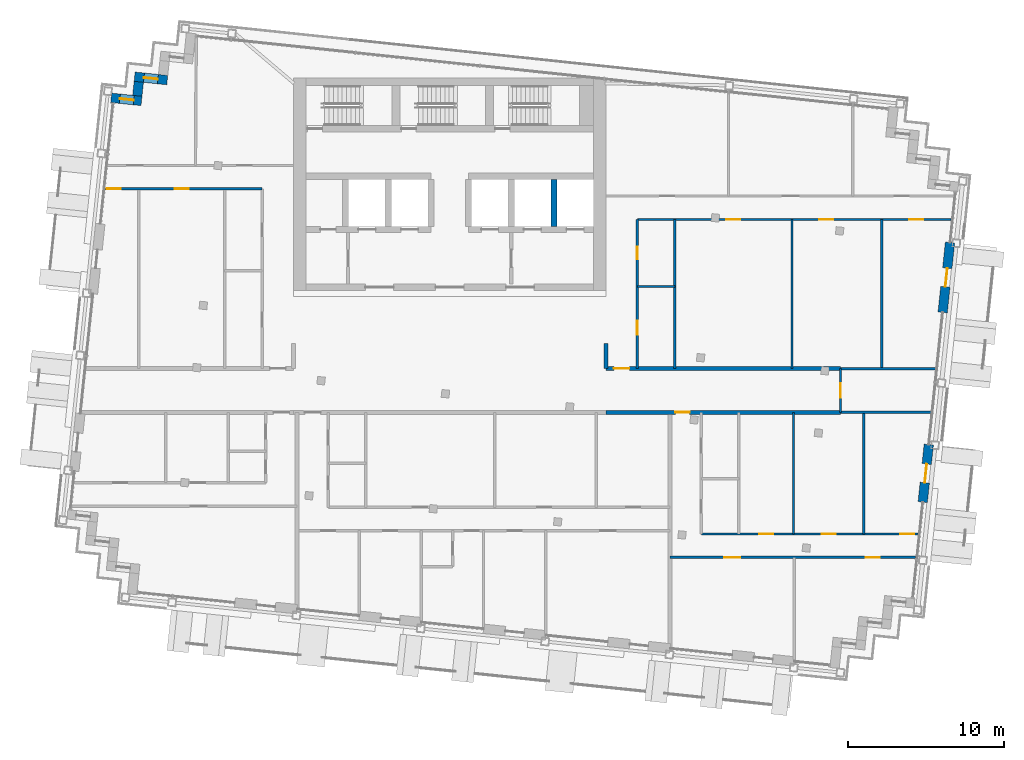
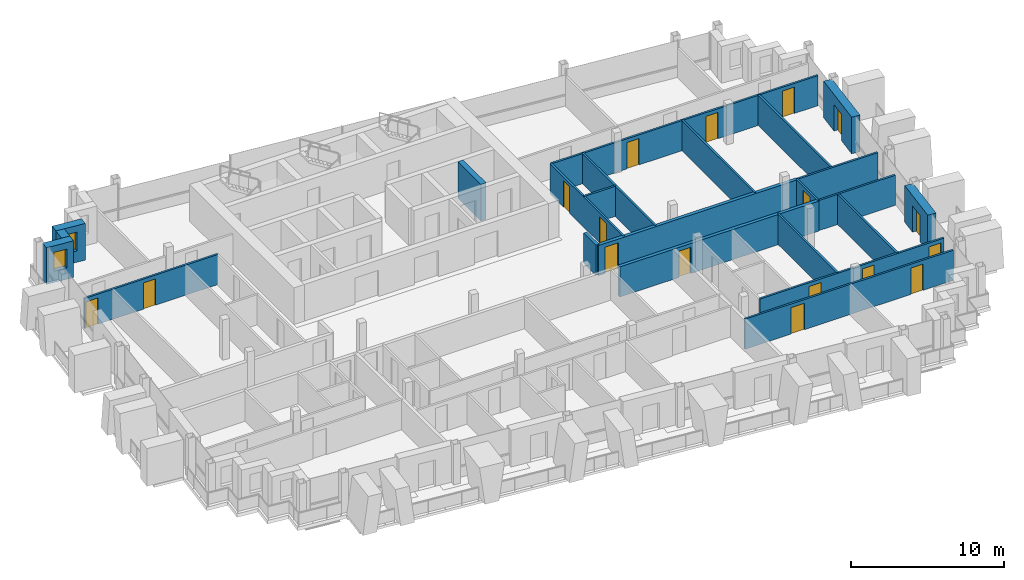
# One storey, part 11 of 16: 23 walls, 17 doors, 2 windows, 19 openings.
"""IFC4 building model written with IfcOpenShell, lengths in metres."""

from ifc_helpers import new_model, si_unit, direction, frame, frame_2d, origin, place, context, subcontext, project, spatial, rectangle, extrude, material, layer, layer_set, type_object, element, fill, save


model = new_model("IFC4")

# Units and contexts
model_context = context("Model", 3, precision=1e-05, world=origin(), true_north=direction((0.0, 1.0)))
body_context = subcontext(model_context, "Body", "Model", "MODEL_VIEW")
ifc_project = project(units=[si_unit("LENGTHUNIT", "METRE"), si_unit("AREAUNIT", "SQUARE_METRE"), si_unit("VOLUMEUNIT", "CUBIC_METRE"), si_unit("PLANEANGLEUNIT", "RADIAN"), si_unit("MASSUNIT", "GRAM", prefix="KILO")], contexts=[model_context])

# Site, building, storey
site_placement = place(None, origin())
site = spatial("IfcSite", under=ifc_project, at=site_placement, CompositionType="ELEMENT")
building_placement = place(site_placement, origin())
building = spatial("IfcBuilding", under=site, at=building_placement, Name="Vidyagriha Tower", CompositionType="ELEMENT")
storey_placement = place(building_placement, frame((0.0, 0.0, 253.10009765625)))
storey = spatial("IfcBuildingStorey", under=building, at=storey_placement, Name="L65", CompositionType="ELEMENT", Elevation=253.10009765625)

# Wall, opening, window
ifc_material_1 = material(Name="Precast concrete C40/50 with brick facing", Category="concrete")
ifc_layer_1 = layer(ifc_material_1, 0.60009765625)
ifc_layer_set_1 = layer_set([ifc_layer_1], Name="Precast concrete C40/50 with brick facing")
wall_type_1 = type_object("IfcWallType", Name="Brick-faced precast wall 600", PredefinedType="STANDARD", material=ifc_layer_set_1)
wall_1_placement = place(storey_placement, frame((-18.077392578125, 19.859130859375, 0.0), z_axis=(0.0, 0.0, 1.0), x_axis=(-0.994522640205, 0.104521376379, 0.0)))
wall_1 = element("IfcWall", 1, at=wall_1_placement, inside=storey, type_object=wall_type_1, Name="Stepped corner wall L65 R11", PredefinedType="STANDARD", context=body_context, shape_type="SweptSolid", body=[
    extrude(rectangle(XDim=2.099853515625, YDim=0.60009765625, at=frame_2d((1.0498046875, 0.0))), origin(), (0.0, 0.0, 1.0), 2.919921875),
])
opening_1_placement = place(wall_1_placement, frame((0.60009765625, 0.0, 0.89990234375)))
opening_1 = element("IfcOpeningElement", 2, at=opening_1_placement, cuts=wall_1, Name="Opening WN1", PredefinedType="OPENING", context=body_context, shape_type="SweptSolid", body=[
    extrude(rectangle(XDim=0.89990234375, YDim=1.5, at=frame_2d((0.449951171875, 0.75))), frame((0.0, 0.31005859375, 0.0), z_axis=(0.0, -1.0, 0.0), x_axis=(1.0, 0.0, 0.0)), (0.0, 0.0, 1.0), 0.6201171875),
])
ifc_material_2 = material(Name="Aluminium and glass window", Category="aluminium")
window_type = type_object("IfcWindowType", Name="Reveal window 900x1500", PartitioningType="NOTDEFINED", PredefinedType="WINDOW", material=ifc_material_2)
window_1_placement = place(opening_1_placement, origin())
window_1 = element("IfcWindow", 3, at=window_1_placement, inside=storey, type_object=window_type, Name="Reveal window L65 R11", OverallHeight=1.5, OverallWidth=0.89990234375, PartitioningType="SINGLE_PANEL", PredefinedType="WINDOW", context=body_context, shape_type="SweptSolid", body=[
    extrude(rectangle(XDim=0.89990234375, YDim=1.5, at=frame_2d((0.449951171875, 0.75))), frame((0.0, 0.030029296875, 0.0), z_axis=(0.0, -1.0, 0.0), x_axis=(1.0, 0.0, 0.0)), (0.0, 0.0, 1.0), 0.06005859375),
])
fill(opening_1, window_1)

# Wall
wall_2_placement = place(storey_placement, frame((-19.898681640625, 19.748779296875, 0.0), z_axis=(0.0, 0.0, 1.0), x_axis=(-0.104741284723, -0.994499503909, 0.0)))
element("IfcWall", 4, at=wall_2_placement, inside=storey, type_object=wall_type_1, Name="Stepped corner wall L65 R12", PredefinedType="STANDARD", context=body_context, shape_type="SweptSolid", body=[
    extrude(rectangle(XDim=0.899658203125, YDim=0.60009765625, at=frame_2d((0.44970703125, 0.0))), origin(), (0.0, 0.0, 1.0), 2.919921875),
])

# Wall, opening, window
wall_3_placement = place(storey_placement, frame((-19.725830078125, 18.5244140625, 0.0), z_axis=(0.0, 0.0, 1.0), x_axis=(-0.994534226826, 0.104411070641, 0.0)))
wall_3 = element("IfcWall", 5, at=wall_3_placement, inside=storey, type_object=wall_type_1, Name="Stepped corner wall L65 R13", PredefinedType="STANDARD", context=body_context, shape_type="SweptSolid", body=[
    extrude(rectangle(XDim=1.9501953125, YDim=0.60009765625, at=frame_2d((0.97509765625, 0.0))), origin(), (0.0, 0.0, 1.0), 2.919921875),
])
opening_2_placement = place(wall_3_placement, frame((0.489990234375, 0.0, 0.89990234375)))
opening_2 = element("IfcOpeningElement", 6, at=opening_2_placement, cuts=wall_3, Name="Opening WN1", PredefinedType="OPENING", context=body_context, shape_type="SweptSolid", body=[
    extrude(rectangle(XDim=0.89990234375, YDim=1.5, at=frame_2d((0.449951171875, 0.75))), frame((0.0, 0.31005859375, 0.0), z_axis=(0.0, -1.0, 0.0), x_axis=(1.0, 0.0, 0.0)), (0.0, 0.0, 1.0), 0.6201171875),
])
window_2_placement = place(opening_2_placement, origin())
window_2 = element("IfcWindow", 7, at=window_2_placement, inside=storey, type_object=window_type, Name="Reveal window L65 R13", OverallHeight=1.5, OverallWidth=0.89990234375, PartitioningType="SINGLE_PANEL", PredefinedType="WINDOW", context=body_context, shape_type="SweptSolid", body=[
    extrude(rectangle(XDim=0.89990234375, YDim=1.5, at=frame_2d((0.449951171875, 0.75))), frame((0.0, 0.030029296875, 0.0), z_axis=(0.0, -1.0, 0.0), x_axis=(1.0, 0.0, 0.0)), (0.0, 0.0, 1.0), 0.06005859375),
])
fill(opening_2, window_2)

# Wall, opening, door
wall_4_placement = place(storey_placement, frame((30.26513671875, -7.14208984375, 0.0), z_axis=(0.0, 0.0, 1.0), x_axis=(0.104513052986, 0.994523514933, 0.0)))
wall_4 = element("IfcWall", 8, at=wall_4_placement, inside=storey, type_object=wall_type_1, Name="Brick door bay wall L65 R28.3", PredefinedType="STANDARD", context=body_context, shape_type="SweptSolid", body=[
    extrude(rectangle(XDim=3.7001953125, YDim=0.60009765625, at=frame_2d((1.85009765625, 0.0))), origin(), (0.0, 0.0, 1.0), 2.919921875),
])
opening_3_placement = place(wall_4_placement, frame((1.25, 0.0, 0.0)))
opening_3 = element("IfcOpeningElement", 9, at=opening_3_placement, cuts=wall_4, Name="Opening D65-60", PredefinedType="OPENING", context=body_context, shape_type="SweptSolid", body=[
    extrude(rectangle(XDim=1.199951171875, YDim=2.10009765625, at=frame_2d((0.60009765625, 1.050048828125))), frame((0.0, 0.31005859375, 0.0), z_axis=(0.0, -1.0, 0.0), x_axis=(1.0, 0.0, 0.0)), (0.0, 0.0, 1.0), 0.6201171875),
])
ifc_material_3 = material(Name="Aluminium framed glazed sliding door", Category="aluminium")
door_type_1 = type_object("IfcDoorType", Name="Balcony sliding door 1200x2100", OperationType="NOTDEFINED", PredefinedType="DOOR", material=ifc_material_3)
door_1_placement = place(opening_3_placement, origin())
door_1 = element("IfcDoor", 10, at=door_1_placement, inside=storey, type_object=door_type_1, Name="Door D65-60", OperationType="SLIDING_TO_LEFT", OverallHeight=2.10009765625, OverallWidth=1.199951171875, PredefinedType="DOOR", context=body_context, shape_type="SweptSolid", body=[
    extrude(rectangle(XDim=1.199951171875, YDim=2.10009765625, at=frame_2d((0.60009765625, 1.050048828125))), frame((0.0, 0.02490234375, 0.0), z_axis=(0.0, -1.0, 0.0), x_axis=(1.0, 0.0, 0.0)), (0.0, 0.0, 1.0), 0.050048828125),
])
fill(opening_3, door_1)

wall_5_placement = place(storey_placement, frame((31.540283203125, 4.9912109375, 0.0), z_axis=(0.0, 0.0, 1.0), x_axis=(0.104546400045, 0.994520009974, 0.0)))
wall_5 = element("IfcWall", 11, at=wall_5_placement, inside=storey, type_object=wall_type_1, Name="Brick door bay wall L65 R28.6", PredefinedType="STANDARD", context=body_context, shape_type="SweptSolid", body=[
    extrude(rectangle(XDim=4.5, YDim=0.60009765625, at=frame_2d((2.25, 0.0))), origin(), (0.0, 0.0, 1.0), 2.919921875),
])
opening_4_placement = place(wall_5_placement, frame((1.64990234375, 0.0, 0.0)))
opening_4 = element("IfcOpeningElement", 12, at=opening_4_placement, cuts=wall_5, Name="Opening D65-61", PredefinedType="OPENING", context=body_context, shape_type="SweptSolid", body=[
    extrude(rectangle(XDim=1.199951171875, YDim=2.10009765625, at=frame_2d((0.60009765625, 1.050048828125))), frame((0.0, 0.31005859375, 0.0), z_axis=(0.0, -1.0, 0.0), x_axis=(1.0, 0.0, 0.0)), (0.0, 0.0, 1.0), 0.6201171875),
])
door_2_placement = place(opening_4_placement, origin())
door_2 = element("IfcDoor", 13, at=door_2_placement, inside=storey, type_object=door_type_1, Name="Door D65-61", OperationType="SLIDING_TO_LEFT", OverallHeight=2.10009765625, OverallWidth=1.199951171875, PredefinedType="DOOR", context=body_context, shape_type="SweptSolid", body=[
    extrude(rectangle(XDim=1.199951171875, YDim=2.10009765625, at=frame_2d((0.60009765625, 1.050048828125))), frame((0.0, 0.02490234375, 0.0), z_axis=(0.0, -1.0, 0.0), x_axis=(1.0, 0.0, 0.0)), (0.0, 0.0, 1.0), 0.050048828125),
])
fill(opening_4, door_2)

# Wall
ifc_material_4 = material(Name="Concrete C60/75", Category="concrete")
ifc_layer_2 = layer(ifc_material_4, 0.39990234375)
ifc_layer_set_2 = layer_set([ifc_layer_2], Name="Concrete C60/75")
wall_type_2 = type_object("IfcWallType", Name="Core shear wall 400 mm", PredefinedType="SHEAR", material=ifc_layer_set_2)
wall_6_placement = place(storey_placement, frame((6.666748046875, 10.5, 0.0), z_axis=(0.0, 0.0, 1.0), x_axis=(0.0, 1.0, 0.0)))
element("IfcWall", 14, at=wall_6_placement, inside=storey, type_object=wall_type_2, Name="Core bay wall N6", PredefinedType="SHEAR", context=body_context, shape_type="SweptSolid", body=[
    extrude(rectangle(XDim=3.0, YDim=0.39990234375, at=frame_2d((1.5, 0.0))), origin(), (0.0, 0.0, 1.0), 2.919921875),
])

# Wall, opening, door
ifc_material_5 = material(Name="Fired clay brick masonry", Category="masonry")
ifc_layer_3 = layer(ifc_material_5, 0.25)
ifc_layer_set_3 = layer_set([ifc_layer_3], Name="Fired clay brick masonry")
wall_type_3 = type_object("IfcWallType", Name="Fired clay brick corridor wall 250", PredefinedType="PARTITIONING", material=ifc_layer_set_3)
wall_7_placement = place(storey_placement, frame((25.0, -1.39990234375, 0.0), z_axis=(0.0, 0.0, 1.0), x_axis=(-1.0, 0.0, 0.0)))
wall_7 = element("IfcWall", 15, at=wall_7_placement, inside=storey, type_object=wall_type_3, Name="Wall all-L65-w057", PredefinedType="PARTITIONING", context=body_context, shape_type="SweptSolid", body=[
    extrude(rectangle(XDim=15.0, YDim=0.25, at=frame_2d((7.5, 0.0))), origin(), (0.0, 0.0, 1.0), 2.39990234375),
])
opening_5_placement = place(wall_7_placement, frame((9.657958984375, 0.0, 0.0)))
opening_5 = element("IfcOpeningElement", 16, at=opening_5_placement, cuts=wall_7, Name="Opening D65-35", PredefinedType="OPENING", context=body_context, shape_type="SweptSolid", body=[
    extrude(rectangle(XDim=0.89990234375, YDim=2.10009765625, at=frame_2d((0.449951171875, 1.050048828125))), frame((0.0, 0.135009765625, 0.0), z_axis=(0.0, -1.0, 0.0), x_axis=(1.0, 0.0, 0.0)), (0.0, 0.0, 1.0), 0.27001953125),
])
ifc_material_6 = material(Name="Fire-rated timber door leaf EI 60", Category="wood")
door_type_2 = type_object("IfcDoorType", Name="Flat entrance fire door 900x2100", OperationType="NOTDEFINED", PredefinedType="DOOR", material=ifc_material_6)
door_3_placement = place(opening_5_placement, origin())
door_3 = element("IfcDoor", 17, at=door_3_placement, inside=storey, type_object=door_type_2, Name="Door D65-35", OperationType="SINGLE_SWING_RIGHT", OverallHeight=2.10009765625, OverallWidth=0.89990234375, PredefinedType="DOOR", context=body_context, shape_type="SweptSolid", body=[
    extrude(rectangle(XDim=0.89990234375, YDim=2.10009765625, at=frame_2d((0.449951171875, 1.050048828125))), frame((0.0, 0.02490234375, 0.0), z_axis=(0.0, -1.0, 0.0), x_axis=(1.0, 0.0, 0.0)), (0.0, 0.0, 1.0), 0.050048828125),
])
fill(opening_5, door_3)

wall_8_placement = place(storey_placement, frame((10.0, 1.39990234375, 0.0)))
wall_8 = element("IfcWall", 18, at=wall_8_placement, inside=storey, type_object=wall_type_3, Name="Wall all-L65-w092", PredefinedType="PARTITIONING", context=body_context, shape_type="SweptSolid", body=[
    extrude(rectangle(XDim=15.0, YDim=0.25, at=frame_2d((7.5, 0.0))), origin(), (0.0, 0.0, 1.0), 2.39990234375),
])
opening_6_placement = place(wall_8_placement, frame((0.5, 0.0, 0.0)))
opening_6 = element("IfcOpeningElement", 19, at=opening_6_placement, cuts=wall_8, Name="Opening D65-51", PredefinedType="OPENING", context=body_context, shape_type="SweptSolid", body=[
    extrude(rectangle(XDim=1.0, YDim=2.10009765625, at=frame_2d((0.5, 1.050048828125))), frame((0.0, 0.135009765625, 0.0), z_axis=(0.0, -1.0, 0.0), x_axis=(1.0, 0.0, 0.0)), (0.0, 0.0, 1.0), 0.27001953125),
])
ifc_material_7 = material(Name="Fire-rated timber door leaf EI 60", Category="wood")
door_type_3 = type_object("IfcDoorType", Name="Flat entrance fire door 1000x2100", OperationType="NOTDEFINED", PredefinedType="DOOR", material=ifc_material_7)
door_4_placement = place(opening_6_placement, origin())
door_4 = element("IfcDoor", 20, at=door_4_placement, inside=storey, type_object=door_type_3, Name="Door D65-51", OperationType="SINGLE_SWING_LEFT", OverallHeight=2.10009765625, OverallWidth=1.0, PredefinedType="DOOR", context=body_context, shape_type="SweptSolid", body=[
    extrude(rectangle(XDim=1.0, YDim=2.10009765625, at=frame_2d((0.5, 1.050048828125))), frame((0.0, 0.02490234375, 0.0), z_axis=(0.0, -1.0, 0.0), x_axis=(1.0, 0.0, 0.0)), (0.0, 0.0, 1.0), 0.050048828125),
])
fill(opening_6, door_4)

# Walls
wall_9_placement = place(storey_placement, frame((10.0, 1.39990234375, 0.0), z_axis=(0.0, 0.0, 1.0), x_axis=(0.0, 1.0, 0.0)))
element("IfcWall", 21, at=wall_9_placement, inside=storey, type_object=wall_type_3, Name="Wall all-L65-w098", PredefinedType="PARTITIONING", context=body_context, shape_type="SweptSolid", body=[
    extrude(rectangle(XDim=1.60009765625, YDim=0.25, at=frame_2d((0.800048828125, 0.0))), origin(), (0.0, 0.0, 1.0), 2.39990234375),
])
ifc_material_8 = material(Name="Gypsum board partition")
ifc_layer_4 = layer(ifc_material_8, 0.14990234375)
ifc_layer_set_4 = layer_set([ifc_layer_4], Name="Gypsum board partition")
wall_type_4 = type_object("IfcWallType", Name="Gypsum board partition 150", PredefinedType="PARTITIONING", material=ifc_layer_set_4)
for number, where, z_axis, x_axis, name in (
    (22, (21.998046875, -1.39990234375, 0.0), (0.0, 0.0, 1.0), (0.0, -1.0, 0.0), "Wall all-L65-w044"),
    (23, (26.498046875, -1.39990234375, 0.0), (0.0, 0.0, 1.0), (0.0, -1.0, 0.0), "Wall all-L65-w045"),
):
    element("IfcWall", number, at=place(storey_placement, frame(where, z_axis=z_axis, x_axis=x_axis)), inside=storey, type_object=wall_type_4, Name=name, PredefinedType="PARTITIONING", context=body_context, shape_type="SweptSolid", body=[
        extrude(rectangle(XDim=7.78173828125, YDim=0.14990234375, at=frame_2d((3.890869140625, 0.0))), origin(), (0.0, 0.0, 1.0), 2.39990234375),
    ])

# Wall, openings, doors
wall_10_placement = place(storey_placement, frame((16.097900390625, -9.181640625, 0.0)))
wall_10 = element("IfcWall", 24, at=wall_10_placement, inside=storey, type_object=wall_type_4, Name="Wall all-L65-w046", PredefinedType="PARTITIONING", context=body_context, shape_type="SweptSolid", body=[
    extrude(rectangle(XDim=13.873291015625, YDim=0.14990234375, at=frame_2d((6.9365234375, 0.0))), origin(), (0.0, 0.0, 1.0), 2.39990234375),
])
opening_7_placement = place(wall_10_placement, frame((3.699951171875, 0.0, 0.0)))
opening_7 = element("IfcOpeningElement", 25, at=opening_7_placement, cuts=wall_10, Name="Opening D65-30", PredefinedType="OPENING", context=body_context, shape_type="SweptSolid", body=[
    extrude(rectangle(XDim=0.89990234375, YDim=2.10009765625, at=frame_2d((0.449951171875, 1.050048828125))), frame((0.0, 0.0849609375, 0.0), z_axis=(0.0, -1.0, 0.0), x_axis=(1.0, 0.0, 0.0)), (0.0, 0.0, 1.0), 0.169921875),
])
opening_8_placement = place(wall_10_placement, frame((7.699951171875, 0.0, 0.0)))
opening_8 = element("IfcOpeningElement", 26, at=opening_8_placement, cuts=wall_10, Name="Opening D65-31", PredefinedType="OPENING", context=body_context, shape_type="SweptSolid", body=[
    extrude(rectangle(XDim=0.89990234375, YDim=2.10009765625, at=frame_2d((0.449951171875, 1.050048828125))), frame((0.0, 0.0849609375, 0.0), z_axis=(0.0, -1.0, 0.0), x_axis=(1.0, 0.0, 0.0)), (0.0, 0.0, 1.0), 0.169921875),
])
opening_9_placement = place(wall_10_placement, frame((12.7294921875, 0.0, 0.0)))
opening_9 = element("IfcOpeningElement", 27, at=opening_9_placement, cuts=wall_10, Name="Opening D65-32", PredefinedType="OPENING", context=body_context, shape_type="SweptSolid", body=[
    extrude(rectangle(XDim=0.89990234375, YDim=2.10009765625, at=frame_2d((0.449951171875, 1.050048828125))), frame((0.0, 0.0849609375, 0.0), z_axis=(0.0, -1.0, 0.0), x_axis=(1.0, 0.0, 0.0)), (0.0, 0.0, 1.0), 0.169921875),
])
ifc_material_9 = material(Name="Timber door leaf", Category="wood")
door_type_4 = type_object("IfcDoorType", Name="Room door 900x2100", OperationType="NOTDEFINED", PredefinedType="DOOR", material=ifc_material_9)
door_5_placement = place(opening_7_placement, origin())
door_5 = element("IfcDoor", 28, at=door_5_placement, inside=storey, type_object=door_type_4, Name="Door D65-30", OperationType="SINGLE_SWING_RIGHT", OverallHeight=2.10009765625, OverallWidth=0.89990234375, PredefinedType="DOOR", context=body_context, shape_type="SweptSolid", body=[
    extrude(rectangle(XDim=0.89990234375, YDim=2.10009765625, at=frame_2d((0.449951171875, 1.050048828125))), frame((0.0, 0.02490234375, 0.0), z_axis=(0.0, -1.0, 0.0), x_axis=(1.0, 0.0, 0.0)), (0.0, 0.0, 1.0), 0.050048828125),
])
fill(opening_7, door_5)
door_6_placement = place(opening_8_placement, origin())
door_6 = element("IfcDoor", 29, at=door_6_placement, inside=storey, type_object=door_type_4, Name="Door D65-31", OperationType="SINGLE_SWING_RIGHT", OverallHeight=2.10009765625, OverallWidth=0.89990234375, PredefinedType="DOOR", context=body_context, shape_type="SweptSolid", body=[
    extrude(rectangle(XDim=0.89990234375, YDim=2.10009765625, at=frame_2d((0.449951171875, 1.050048828125))), frame((0.0, 0.02490234375, 0.0), z_axis=(0.0, -1.0, 0.0), x_axis=(1.0, 0.0, 0.0)), (0.0, 0.0, 1.0), 0.050048828125),
])
fill(opening_8, door_6)
door_7_placement = place(opening_9_placement, origin())
door_7 = element("IfcDoor", 30, at=door_7_placement, inside=storey, type_object=door_type_4, Name="Door D65-32", OperationType="SINGLE_SWING_RIGHT", OverallHeight=2.10009765625, OverallWidth=0.89990234375, PredefinedType="DOOR", context=body_context, shape_type="SweptSolid", body=[
    extrude(rectangle(XDim=0.89990234375, YDim=2.10009765625, at=frame_2d((0.449951171875, 1.050048828125))), frame((0.0, 0.02490234375, 0.0), z_axis=(0.0, -1.0, 0.0), x_axis=(1.0, 0.0, 0.0)), (0.0, 0.0, 1.0), 0.050048828125),
])
fill(opening_9, door_7)

wall_11_placement = place(storey_placement, frame((29.813720703125, -10.681640625, 0.0), z_axis=(0.0, 0.0, 1.0), x_axis=(-1.0, 0.0, 0.0)))
wall_11 = element("IfcWall", 31, at=wall_11_placement, inside=storey, type_object=wall_type_4, Name="Wall all-L65-w050", PredefinedType="PARTITIONING", context=body_context, shape_type="SweptSolid", body=[
    extrude(rectangle(XDim=15.7158203125, YDim=0.14990234375, at=frame_2d((7.85791015625, 0.0))), origin(), (0.0, 0.0, 1.0), 2.39990234375),
])
opening_10_placement = place(wall_11_placement, frame((11.237548828125, 0.0, 0.0)))
opening_10 = element("IfcOpeningElement", 32, at=opening_10_placement, cuts=wall_11, Name="Opening D65-33", PredefinedType="OPENING", context=body_context, shape_type="SweptSolid", body=[
    extrude(rectangle(XDim=1.0, YDim=2.10009765625, at=frame_2d((0.5, 1.050048828125))), frame((0.0, 0.0849609375, 0.0), z_axis=(0.0, -1.0, 0.0), x_axis=(1.0, 0.0, 0.0)), (0.0, 0.0, 1.0), 0.169921875),
])
opening_11_placement = place(wall_11_placement, frame((2.30810546875, 0.0, 0.0)))
opening_11 = element("IfcOpeningElement", 33, at=opening_11_placement, cuts=wall_11, Name="Opening D65-34", PredefinedType="OPENING", context=body_context, shape_type="SweptSolid", body=[
    extrude(rectangle(XDim=0.89990234375, YDim=2.10009765625, at=frame_2d((0.449951171875, 1.050048828125))), frame((0.0, 0.0849609375, 0.0), z_axis=(0.0, -1.0, 0.0), x_axis=(1.0, 0.0, 0.0)), (0.0, 0.0, 1.0), 0.169921875),
])
ifc_material_10 = material(Name="Timber door leaf", Category="wood")
door_type_5 = type_object("IfcDoorType", Name="Room door 1000x2100", OperationType="NOTDEFINED", PredefinedType="DOOR", material=ifc_material_10)
door_8_placement = place(opening_10_placement, origin())
door_8 = element("IfcDoor", 34, at=door_8_placement, inside=storey, type_object=door_type_5, Name="Door D65-33", OperationType="SINGLE_SWING_RIGHT", OverallHeight=2.10009765625, OverallWidth=1.0, PredefinedType="DOOR", context=body_context, shape_type="SweptSolid", body=[
    extrude(rectangle(XDim=1.0, YDim=2.10009765625, at=frame_2d((0.5, 1.050048828125))), frame((0.0, 0.02490234375, 0.0), z_axis=(0.0, -1.0, 0.0), x_axis=(1.0, 0.0, 0.0)), (0.0, 0.0, 1.0), 0.050048828125),
])
fill(opening_10, door_8)
door_9_placement = place(opening_11_placement, origin())
door_9 = element("IfcDoor", 35, at=door_9_placement, inside=storey, type_object=door_type_4, Name="Door D65-34", OperationType="SINGLE_SWING_LEFT", OverallHeight=2.10009765625, OverallWidth=0.89990234375, PredefinedType="DOOR", context=body_context, shape_type="SweptSolid", body=[
    extrude(rectangle(XDim=0.89990234375, YDim=2.10009765625, at=frame_2d((0.449951171875, 1.050048828125))), frame((0.0, 0.02490234375, 0.0), z_axis=(0.0, -1.0, 0.0), x_axis=(1.0, 0.0, 0.0)), (0.0, 0.0, 1.0), 0.050048828125),
])
fill(opening_11, door_9)

# Wall
wall_12_placement = place(storey_placement, frame((30.79833984375, -1.39990234375, 0.0), z_axis=(0.0, 0.0, 1.0), x_axis=(-1.0, 0.0, 0.0)))
element("IfcWall", 36, at=wall_12_placement, inside=storey, type_object=wall_type_4, Name="Wall all-L65-w058", PredefinedType="PARTITIONING", context=body_context, shape_type="SweptSolid", body=[
    extrude(rectangle(XDim=5.79833984375, YDim=0.14990234375, at=frame_2d((2.899169921875, 0.0))), origin(), (0.0, 0.0, 1.0), 2.39990234375),
])

# Wall, openings, doors
wall_13_placement = place(storey_placement, frame((-12.0, 12.89990234375, 0.0), z_axis=(0.0, 0.0, 1.0), x_axis=(-1.0, 0.0, 0.0)))
wall_13 = element("IfcWall", 37, at=wall_13_placement, inside=storey, type_object=wall_type_4, Name="Wall all-L65-w065", PredefinedType="PARTITIONING", context=body_context, shape_type="SweptSolid", body=[
    extrude(rectangle(XDim=10.04736328125, YDim=0.14990234375, at=frame_2d((5.023681640625, 0.0))), origin(), (0.0, 0.0, 1.0), 2.39990234375),
])
opening_12_placement = place(wall_13_placement, frame((4.699951171875, 0.0, 0.0)))
opening_12 = element("IfcOpeningElement", 38, at=opening_12_placement, cuts=wall_13, Name="Opening D65-38", PredefinedType="OPENING", context=body_context, shape_type="SweptSolid", body=[
    extrude(rectangle(XDim=0.89990234375, YDim=2.10009765625, at=frame_2d((0.449951171875, 1.050048828125))), frame((0.0, 0.0849609375, 0.0), z_axis=(0.0, -1.0, 0.0), x_axis=(1.0, 0.0, 0.0)), (0.0, 0.0, 1.0), 0.169921875),
])
opening_13_placement = place(wall_13_placement, frame((9.04736328125, 0.0, 0.0)))
opening_13 = element("IfcOpeningElement", 39, at=opening_13_placement, cuts=wall_13, Name="Opening D65-39", PredefinedType="OPENING", context=body_context, shape_type="SweptSolid", body=[
    extrude(rectangle(XDim=0.89990234375, YDim=2.10009765625, at=frame_2d((0.449951171875, 1.050048828125))), frame((0.0, 0.0849609375, 0.0), z_axis=(0.0, -1.0, 0.0), x_axis=(1.0, 0.0, 0.0)), (0.0, 0.0, 1.0), 0.169921875),
])
door_10_placement = place(opening_12_placement, origin())
door_10 = element("IfcDoor", 40, at=door_10_placement, inside=storey, type_object=door_type_4, Name="Door D65-38", OperationType="SINGLE_SWING_LEFT", OverallHeight=2.10009765625, OverallWidth=0.89990234375, PredefinedType="DOOR", context=body_context, shape_type="SweptSolid", body=[
    extrude(rectangle(XDim=0.89990234375, YDim=2.10009765625, at=frame_2d((0.449951171875, 1.050048828125))), frame((0.0, 0.02490234375, 0.0), z_axis=(0.0, -1.0, 0.0), x_axis=(1.0, 0.0, 0.0)), (0.0, 0.0, 1.0), 0.050048828125),
])
fill(opening_12, door_10)
door_11_placement = place(opening_13_placement, origin())
door_11 = element("IfcDoor", 41, at=door_11_placement, inside=storey, type_object=door_type_4, Name="Door D65-39", OperationType="SINGLE_SWING_RIGHT", OverallHeight=2.10009765625, OverallWidth=0.89990234375, PredefinedType="DOOR", context=body_context, shape_type="SweptSolid", body=[
    extrude(rectangle(XDim=0.89990234375, YDim=2.10009765625, at=frame_2d((0.449951171875, 1.050048828125))), frame((0.0, 0.02490234375, 0.0), z_axis=(0.0, -1.0, 0.0), x_axis=(1.0, 0.0, 0.0)), (0.0, 0.0, 1.0), 0.050048828125),
])
fill(opening_13, door_11)

# Walls
wall_14_placement = place(storey_placement, frame((12.0, 6.64990234375, 0.0)))
element("IfcWall", 42, at=wall_14_placement, inside=storey, type_object=wall_type_4, Name="Wall all-L65-w077", PredefinedType="PARTITIONING", context=body_context, shape_type="SweptSolid", body=[
    extrude(rectangle(XDim=2.39990234375, YDim=0.14990234375, at=frame_2d((1.199951171875, 0.0))), origin(), (0.0, 0.0, 1.0), 2.39990234375),
])
for number, where, z_axis, x_axis, name in (
    (43, (14.39990234375, 10.943359375, 0.0), (0.0, 0.0, 1.0), (0.0, -1.0, 0.0), "Wall all-L65-w078"),
    (44, (21.89990234375, 10.943359375, 0.0), (0.0, 0.0, 1.0), (0.0, -1.0, 0.0), "Wall all-L65-w079"),
    (45, (27.64990234375, 10.943359375, 0.0), (0.0, 0.0, 1.0), (0.0, -1.0, 0.0), "Wall all-L65-w080"),
):
    element("IfcWall", number, at=place(storey_placement, frame(where, z_axis=z_axis, x_axis=x_axis)), inside=storey, type_object=wall_type_4, Name=name, PredefinedType="PARTITIONING", context=body_context, shape_type="SweptSolid", body=[
        extrude(rectangle(XDim=9.54345703125, YDim=0.14990234375, at=frame_2d((4.771728515625, 0.0))), origin(), (0.0, 0.0, 1.0), 2.39990234375),
    ])

# Wall, openings, doors
wall_15_placement = place(storey_placement, frame((32.086669921875, 10.943359375, 0.0), z_axis=(0.0, 0.0, 1.0), x_axis=(-1.0, 0.0, 0.0)))
wall_15 = element("IfcWall", 46, at=wall_15_placement, inside=storey, type_object=wall_type_4, Name="Wall all-L65-w081", PredefinedType="PARTITIONING", context=body_context, shape_type="SweptSolid", body=[
    extrude(rectangle(XDim=20.086669921875, YDim=0.14990234375, at=frame_2d((10.04345703125, 0.0))), origin(), (0.0, 0.0, 1.0), 2.39990234375),
])
opening_14_placement = place(wall_15_placement, frame((13.486572265625, 0.0, 0.0)))
opening_14 = element("IfcOpeningElement", 47, at=opening_14_placement, cuts=wall_15, Name="Opening D65-45", PredefinedType="OPENING", context=body_context, shape_type="SweptSolid", body=[
    extrude(rectangle(XDim=0.89990234375, YDim=2.10009765625, at=frame_2d((0.449951171875, 1.050048828125))), frame((0.0, 0.0849609375, 0.0), z_axis=(0.0, -1.0, 0.0), x_axis=(1.0, 0.0, 0.0)), (0.0, 0.0, 1.0), 0.169921875),
])
opening_15_placement = place(wall_15_placement, frame((7.5419921875, 0.0, 0.0)))
opening_15 = element("IfcOpeningElement", 48, at=opening_15_placement, cuts=wall_15, Name="Opening D65-46", PredefinedType="OPENING", context=body_context, shape_type="SweptSolid", body=[
    extrude(rectangle(XDim=0.89990234375, YDim=2.10009765625, at=frame_2d((0.449951171875, 1.050048828125))), frame((0.0, 0.0849609375, 0.0), z_axis=(0.0, -1.0, 0.0), x_axis=(1.0, 0.0, 0.0)), (0.0, 0.0, 1.0), 0.169921875),
])
opening_16_placement = place(wall_15_placement, frame((1.783203125, 0.0, 0.0)))
opening_16 = element("IfcOpeningElement", 49, at=opening_16_placement, cuts=wall_15, Name="Opening D65-47", PredefinedType="OPENING", context=body_context, shape_type="SweptSolid", body=[
    extrude(rectangle(XDim=0.89990234375, YDim=2.10009765625, at=frame_2d((0.449951171875, 1.050048828125))), frame((0.0, 0.0849609375, 0.0), z_axis=(0.0, -1.0, 0.0), x_axis=(1.0, 0.0, 0.0)), (0.0, 0.0, 1.0), 0.169921875),
])
door_12_placement = place(opening_14_placement, origin())
door_12 = element("IfcDoor", 50, at=door_12_placement, inside=storey, type_object=door_type_4, Name="Door D65-45", OperationType="SINGLE_SWING_RIGHT", OverallHeight=2.10009765625, OverallWidth=0.89990234375, PredefinedType="DOOR", context=body_context, shape_type="SweptSolid", body=[
    extrude(rectangle(XDim=0.89990234375, YDim=2.10009765625, at=frame_2d((0.449951171875, 1.050048828125))), frame((0.0, 0.02490234375, 0.0), z_axis=(0.0, -1.0, 0.0), x_axis=(1.0, 0.0, 0.0)), (0.0, 0.0, 1.0), 0.050048828125),
])
fill(opening_14, door_12)
door_13_placement = place(opening_15_placement, origin())
door_13 = element("IfcDoor", 51, at=door_13_placement, inside=storey, type_object=door_type_4, Name="Door D65-46", OperationType="SINGLE_SWING_RIGHT", OverallHeight=2.10009765625, OverallWidth=0.89990234375, PredefinedType="DOOR", context=body_context, shape_type="SweptSolid", body=[
    extrude(rectangle(XDim=0.89990234375, YDim=2.10009765625, at=frame_2d((0.449951171875, 1.050048828125))), frame((0.0, 0.02490234375, 0.0), z_axis=(0.0, -1.0, 0.0), x_axis=(1.0, 0.0, 0.0)), (0.0, 0.0, 1.0), 0.050048828125),
])
fill(opening_15, door_13)
door_14_placement = place(opening_16_placement, origin())
door_14 = element("IfcDoor", 52, at=door_14_placement, inside=storey, type_object=door_type_4, Name="Door D65-47", OperationType="SINGLE_SWING_LEFT", OverallHeight=2.10009765625, OverallWidth=0.89990234375, PredefinedType="DOOR", context=body_context, shape_type="SweptSolid", body=[
    extrude(rectangle(XDim=0.89990234375, YDim=2.10009765625, at=frame_2d((0.449951171875, 1.050048828125))), frame((0.0, 0.02490234375, 0.0), z_axis=(0.0, -1.0, 0.0), x_axis=(1.0, 0.0, 0.0)), (0.0, 0.0, 1.0), 0.050048828125),
])
fill(opening_16, door_14)

# Wall
wall_16_placement = place(storey_placement, frame((25.0, 1.39990234375, 0.0)))
element("IfcWall", 53, at=wall_16_placement, inside=storey, type_object=wall_type_4, Name="Wall all-L65-w093", PredefinedType="PARTITIONING", context=body_context, shape_type="SweptSolid", body=[
    extrude(rectangle(XDim=6.092529296875, YDim=0.14990234375, at=frame_2d((3.04638671875, 0.0))), origin(), (0.0, 0.0, 1.0), 2.39990234375),
])

# Wall, opening, door
wall_17_placement = place(storey_placement, frame((25.0, -1.39990234375, 0.0), z_axis=(0.0, 0.0, 1.0), x_axis=(0.0, 1.0, 0.0)))
wall_17 = element("IfcWall", 54, at=wall_17_placement, inside=storey, type_object=wall_type_4, Name="Wall all-L65-w094", PredefinedType="PARTITIONING", context=body_context, shape_type="SweptSolid", body=[
    extrude(rectangle(XDim=2.7998046875, YDim=0.14990234375, at=frame_2d((1.39990234375, 0.0))), origin(), (0.0, 0.0, 1.0), 2.39990234375),
])
opening_17_placement = place(wall_17_placement, frame((0.949951171875, 0.0, 0.0)))
opening_17 = element("IfcOpeningElement", 55, at=opening_17_placement, cuts=wall_17, Name="Opening D65-52", PredefinedType="OPENING", context=body_context, shape_type="SweptSolid", body=[
    extrude(rectangle(XDim=0.89990234375, YDim=2.10009765625, at=frame_2d((0.449951171875, 1.050048828125))), frame((0.0, 0.0849609375, 0.0), z_axis=(0.0, -1.0, 0.0), x_axis=(1.0, 0.0, 0.0)), (0.0, 0.0, 1.0), 0.169921875),
])
door_15_placement = place(opening_17_placement, origin())
door_15 = element("IfcDoor", 56, at=door_15_placement, inside=storey, type_object=door_type_4, Name="Door D65-52", OperationType="SINGLE_SWING_RIGHT", OverallHeight=2.10009765625, OverallWidth=0.89990234375, PredefinedType="DOOR", context=body_context, shape_type="SweptSolid", body=[
    extrude(rectangle(XDim=0.89990234375, YDim=2.10009765625, at=frame_2d((0.449951171875, 1.050048828125))), frame((0.0, 0.02490234375, 0.0), z_axis=(0.0, -1.0, 0.0), x_axis=(1.0, 0.0, 0.0)), (0.0, 0.0, 1.0), 0.050048828125),
])
fill(opening_17, door_15)

# Wall, openings, doors
ifc_material_11 = material(Name="Moisture resistant gypsum board partition")
ifc_layer_5 = layer(ifc_material_11, 0.14990234375)
ifc_layer_set_5 = layer_set([ifc_layer_5], Name="Moisture resistant gypsum board partition")
wall_type_5 = type_object("IfcWallType", Name="Gypsum board wet-area partition 150", PredefinedType="PARTITIONING", material=ifc_layer_set_5)
wall_18_placement = place(storey_placement, frame((12.0, 10.943359375, 0.0), z_axis=(0.0, 0.0, 1.0), x_axis=(0.0, -1.0, 0.0)))
wall_18 = element("IfcWall", 57, at=wall_18_placement, inside=storey, type_object=wall_type_5, Name="Wall all-L65-w074", PredefinedType="PARTITIONING", context=body_context, shape_type="SweptSolid", body=[
    extrude(rectangle(XDim=9.54345703125, YDim=0.14990234375, at=frame_2d((4.771728515625, 0.0))), origin(), (0.0, 0.0, 1.0), 2.39990234375),
])
opening_18_placement = place(wall_18_placement, frame((6.468505859375, 0.0, 0.0)))
opening_18 = element("IfcOpeningElement", 58, at=opening_18_placement, cuts=wall_18, Name="Opening D65-43", PredefinedType="OPENING", context=body_context, shape_type="SweptSolid", body=[
    extrude(rectangle(XDim=0.89990234375, YDim=2.10009765625, at=frame_2d((0.449951171875, 1.050048828125))), frame((0.0, 0.0849609375, 0.0), z_axis=(0.0, -1.0, 0.0), x_axis=(1.0, 0.0, 0.0)), (0.0, 0.0, 1.0), 0.169921875),
])
opening_19_placement = place(wall_18_placement, frame((1.74658203125, 0.0, 0.0)))
opening_19 = element("IfcOpeningElement", 59, at=opening_19_placement, cuts=wall_18, Name="Opening D65-44", PredefinedType="OPENING", context=body_context, shape_type="SweptSolid", body=[
    extrude(rectangle(XDim=0.800048828125, YDim=2.10009765625, at=frame_2d((0.39990234375, 1.050048828125))), frame((0.0, 0.0849609375, 0.0), z_axis=(0.0, -1.0, 0.0), x_axis=(1.0, 0.0, 0.0)), (0.0, 0.0, 1.0), 0.169921875),
])
ifc_material_12 = material(Name="Timber door leaf", Category="wood")
door_type_6 = type_object("IfcDoorType", Name="Bathroom door 800x2100", OperationType="NOTDEFINED", PredefinedType="DOOR", material=ifc_material_12)
door_16_placement = place(opening_19_placement, origin())
door_16 = element("IfcDoor", 60, at=door_16_placement, inside=storey, type_object=door_type_6, Name="Door D65-44", OperationType="SINGLE_SWING_RIGHT", OverallHeight=2.10009765625, OverallWidth=0.800048828125, PredefinedType="DOOR", context=body_context, shape_type="SweptSolid", body=[
    extrude(rectangle(XDim=0.800048828125, YDim=2.10009765625, at=frame_2d((0.39990234375, 1.050048828125))), frame((0.0, 0.02490234375, 0.0), z_axis=(0.0, -1.0, 0.0), x_axis=(1.0, 0.0, 0.0)), (0.0, 0.0, 1.0), 0.050048828125),
])
fill(opening_19, door_16)
ifc_material_13 = material(Name="Timber door leaf", Category="wood")
door_type_7 = type_object("IfcDoorType", Name="Kitchen door 900x2100", OperationType="NOTDEFINED", PredefinedType="DOOR", material=ifc_material_13)
door_17_placement = place(opening_18_placement, origin())
door_17 = element("IfcDoor", 61, at=door_17_placement, inside=storey, type_object=door_type_7, Name="Door D65-43", OperationType="SINGLE_SWING_LEFT", OverallHeight=2.10009765625, OverallWidth=0.89990234375, PredefinedType="DOOR", context=body_context, shape_type="SweptSolid", body=[
    extrude(rectangle(XDim=0.89990234375, YDim=2.10009765625, at=frame_2d((0.449951171875, 1.050048828125))), frame((0.0, 0.02490234375, 0.0), z_axis=(0.0, -1.0, 0.0), x_axis=(1.0, 0.0, 0.0)), (0.0, 0.0, 1.0), 0.050048828125),
])
fill(opening_18, door_17)

save(model, "model.ifc")
